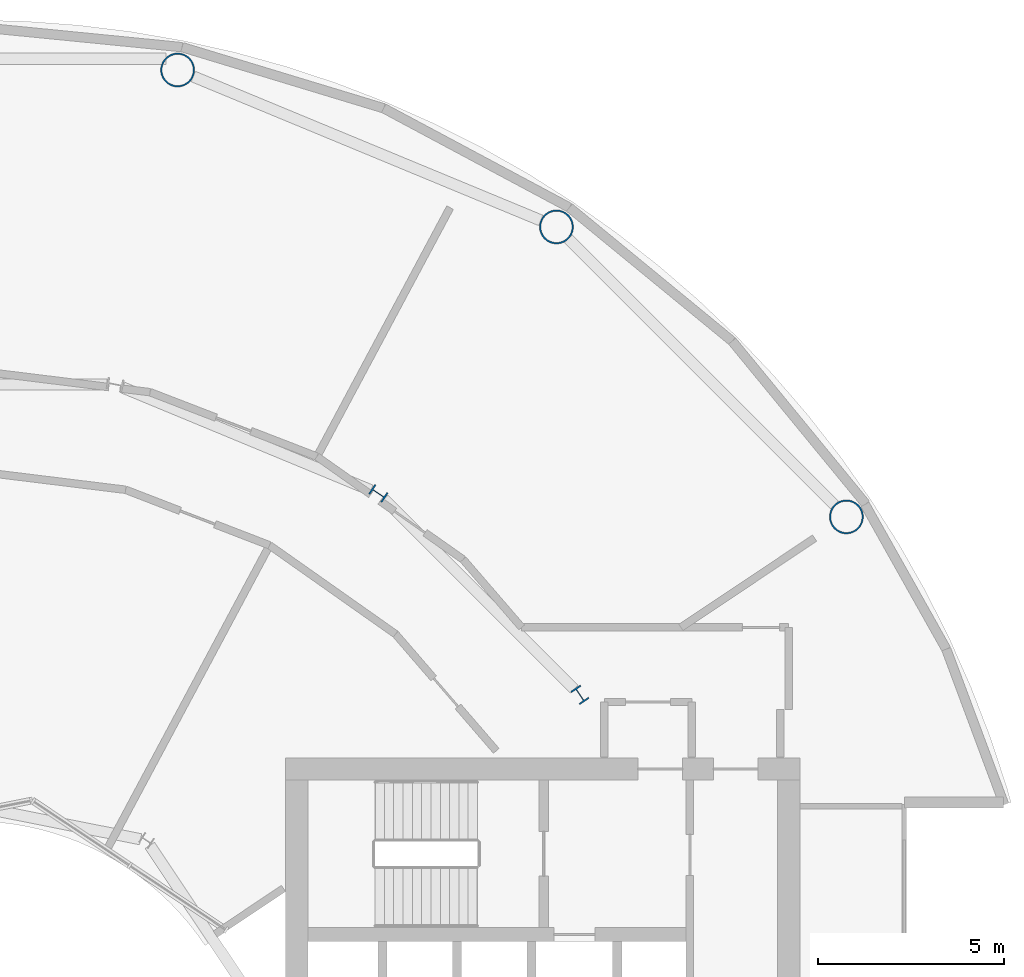
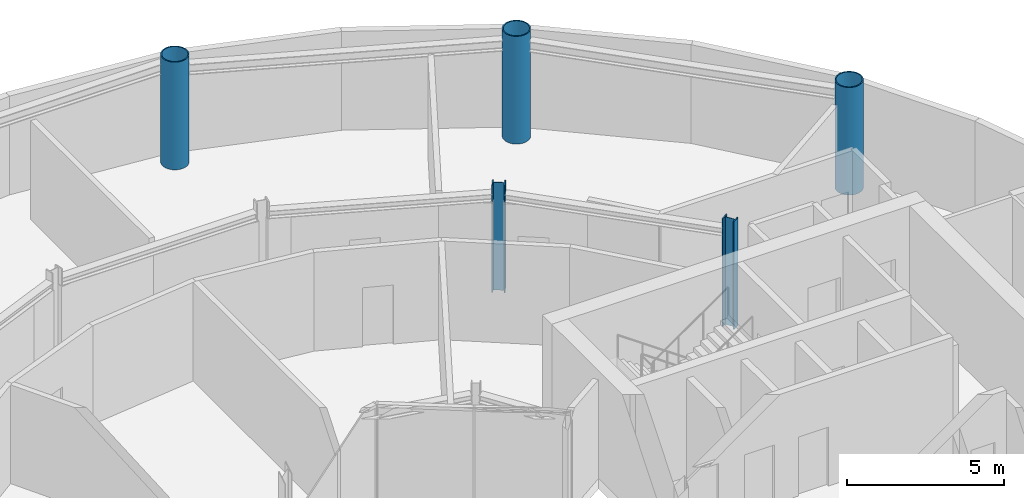
# One storey, part 4 of 18: 5 columns.
"""IFC4 building model written with IfcOpenShell, lengths in metres."""

from ifc_helpers import new_model, si_unit, direction, frame, origin, origin_2d, place, context, subcontext, project, spatial, hollow_circle, i_section, extrude, material, material_profile, profile_set, type_object, element, save


model = new_model("IFC4")

# Units and contexts
model_context = context("Model", 3, precision=1e-05, world=origin(), true_north=direction((0.0, 1.0)))
body_context = subcontext(model_context, "Body", "Model", "MODEL_VIEW")
ifc_project = project(units=[si_unit("LENGTHUNIT", "METRE"), si_unit("AREAUNIT", "SQUARE_METRE"), si_unit("VOLUMEUNIT", "CUBIC_METRE"), si_unit("PLANEANGLEUNIT", "RADIAN"), si_unit("MASSUNIT", "GRAM", prefix="KILO")], contexts=[model_context])

# Site, building, storey
site_placement = place(None, origin())
site = spatial("IfcSite", under=ifc_project, at=site_placement, CompositionType="ELEMENT")
building_placement = place(site_placement, origin())
building = spatial("IfcBuilding", under=site, at=building_placement, Name="Maasbend Ring Residences", CompositionType="ELEMENT")
storey_placement = place(building_placement, frame((0.0, 0.0, 103.25)))
storey = spatial("IfcBuildingStorey", under=building, at=storey_placement, Name="L29", CompositionType="ELEMENT", Elevation=103.25)

# Columns
ifc_material_1 = material(Name="Composite concrete-filled steel tube S460NH / C80/95", Category="concrete")
ifc_material_profile_1 = material_profile(ifc_material_1, hollow_circle(Radius=0.45703125, WallThickness=0.0400390625, at=origin_2d()), Name="Composite tube column CHS 914x40")
ifc_profile_set_1 = profile_set([ifc_material_profile_1], Name="Composite concrete-filled steel tube S460NH / C80/95")
column_type_1 = type_object("IfcColumnType", Name="Composite tube column CHS 914x40", PredefinedType="COLUMN", material=ifc_profile_set_1)
for number, where, z_axis, x_axis, name in (
    (1, (23.447509765625, 15.6669921875, 0.0), (0.0, 0.0, 1.0), (1.0, 0.0, 0.0), "Outer column R2"),
    (2, (15.6669921875, 23.447509765625, 0.0), (0.0, 0.0, 1.0), (1.0, 0.0, 0.0), "Outer column R3"),
    (3, (5.50146484375, 27.658203125, 0.0), (0.0, 0.0, 1.0), (1.0, 0.0, 0.0), "Outer column R4"),
):
    element("IfcColumn", number, at=place(storey_placement, frame(where, z_axis=z_axis, x_axis=x_axis)), inside=storey, type_object=column_type_1, Name=name, PredefinedType="COLUMN", context=body_context, shape_type="SweptSolid", body=[
        extrude(hollow_circle(Radius=0.45703125, WallThickness=0.0400390625, at=origin_2d()), origin(), (0.0, 0.0, 1.0), 4.199951171875),
    ])
ifc_material_2 = material(Name="Steel S460M", Category="steel")
ifc_material_profile_2 = material_profile(ifc_material_2, i_section(OverallWidth=0.306884765625, OverallDepth=0.431884765625, WebThickness=0.02099609375, FlangeThickness=0.0400390625, FilletRadius=0.027099609375, at=origin_2d()), Name="HEM 400")
ifc_profile_set_2 = profile_set([ifc_material_profile_2], Name="Steel S460M")
column_type_2 = type_object("IfcColumnType", Name="Steel column HEM 400", PredefinedType="COLUMN", material=ifc_profile_set_2)
for number, where, z_axis, x_axis, name in (
    (4, (16.296875, 10.88916015625, 0.0), (0.0, 0.0, 1.0), (0.831469612303, 0.55557023302, 0.0), "Corridor ring column R2"),
    (5, (10.88916015625, 16.296875, 0.0), (0.0, 0.0, 1.0), (0.55557023302, 0.831469612303, 0.0), "Corridor ring column R3"),
):
    element("IfcColumn", number, at=place(storey_placement, frame(where, z_axis=z_axis, x_axis=x_axis)), inside=storey, type_object=column_type_2, Name=name, PredefinedType="COLUMN", context=body_context, shape_type="SweptSolid", body=[
        extrude(i_section(OverallWidth=0.306884765625, OverallDepth=0.431884765625, WebThickness=0.02099609375, FlangeThickness=0.0400390625, FilletRadius=0.027099609375, at=origin_2d()), origin(), (0.0, 0.0, 1.0), 4.199951171875),
    ])

save(model, "model.ifc")
